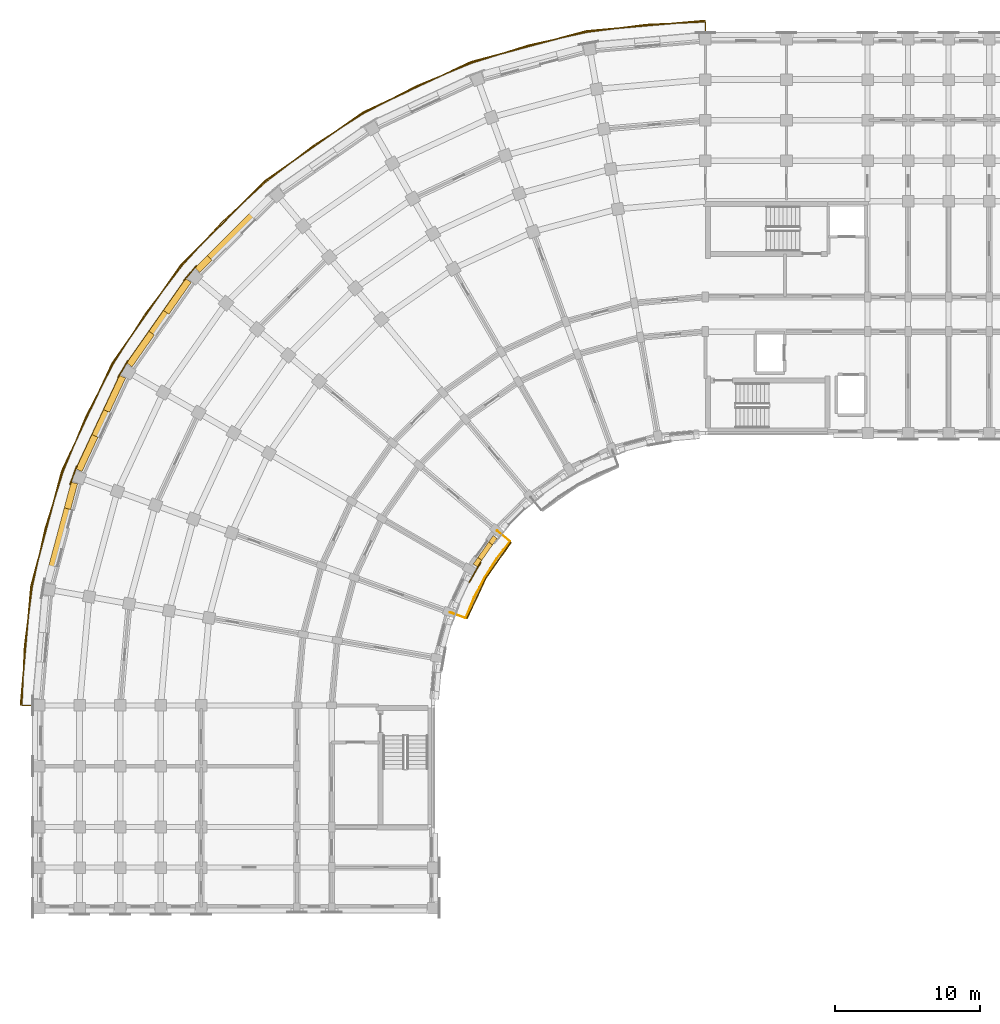
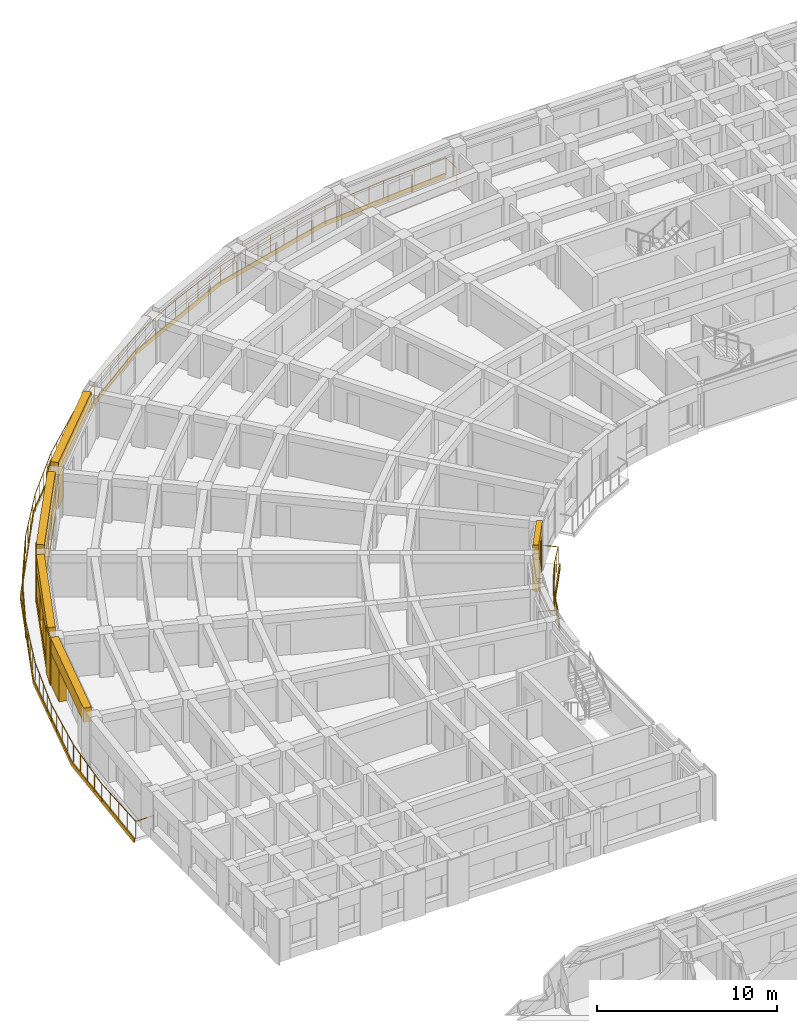
# One storey, part 45 of 54: 21 coverings, 2 railings.
"""IFC4 building model written with IfcOpenShell, lengths in metres."""

import ifcopenshell
import ifcopenshell.guid

model = None  # the IFC model being written
_history = None  # IfcOwnerHistory: only IFC2X3 demands one
_inside = {}  # id of a spatial element -> (the spatial element, [elements in it])
_under = {}  # id of a project, library or spatial element -> (it, [spatial elements below it])
_declared = {}  # id of a project -> (the project, [libraries it declares])
_typed = {}  # id of a type object -> (the type object, [elements of that type])
_made_of = {}  # id of a material, layer set ... -> (it, [elements and type objects made of it])


def new_model(schema):
    """Start an empty IFC model of exactly this schema.

    Asked for "IFC4X3", IfcOpenShell would pick the latest addendum, in which some entities
    have other attributes; the version numbers below select the first issue.
    IFC2X3 requires an IfcOwnerHistory on every rooted entity: one is made here for all.
    """
    global model, _history
    if schema == "IFC4X3":
        model = ifcopenshell.file(schema_version=(4, 3, 0, 0))
    else:
        model = ifcopenshell.file(schema=schema)
    _inside.clear()
    _under.clear()
    _declared.clear()
    _typed.clear()
    _made_of.clear()
    _history = None
    if model.schema == "IFC2X3":
        org = make("IfcOrganization", Name="unknown")
        user = make(
            "IfcPersonAndOrganization",
            ThePerson=make("IfcPerson", FamilyName="unknown"),
            TheOrganization=org,
        )
        app = make(
            "IfcApplication",
            ApplicationDeveloper=org,
            Version="unknown",
            ApplicationFullName="unknown",
            ApplicationIdentifier="unknown",
        )
        _history = make(
            "IfcOwnerHistory",
            OwningUser=user,
            OwningApplication=app,
            ChangeAction="ADDED",
            CreationDate=0,
        )
    return model


def make(cls, **values):
    """One entity of the class cls with the attributes given. An attribute that is None is left unset."""
    return model.create_entity(
        cls, **{name: value for name, value in values.items() if value is not None}
    )


def rooted(cls, **values):
    """An entity with a GlobalId (a new one), such as an element, a storey or a relation."""
    return make(cls, GlobalId=ifcopenshell.guid.new(), OwnerHistory=_history, **values)


def si_unit(unit_type, name, prefix=None):
    """IfcSIUnit, for example si_unit("LENGTHUNIT", "METRE", prefix="MILLI")."""
    return make("IfcSIUnit", UnitType=unit_type, Prefix=prefix, Name=name)


def assignment(units):
    """IfcUnitAssignment: the units of a project."""
    return None if units is None else make("IfcUnitAssignment", Units=units)


def point(xyz):
    """IfcCartesianPoint."""
    return None if xyz is None else make("IfcCartesianPoint", Coordinates=xyz)


def direction(xyz):
    """IfcDirection."""
    return None if xyz is None else make("IfcDirection", DirectionRatios=xyz)


def frame(location, z_axis=None, x_axis=None):
    """IfcAxis2Placement3D, a coordinate frame: its origin and axes. An axis left out is left unset."""
    return make(
        "IfcAxis2Placement3D",
        Location=point(location),
        Axis=direction(z_axis),
        RefDirection=direction(x_axis),
    )


def frame_2d(location, x_axis=None):
    """IfcAxis2Placement2D, a coordinate frame in the plane: its origin and x axis."""
    return make(
        "IfcAxis2Placement2D", Location=point(location), RefDirection=direction(x_axis)
    )


def origin():
    """The frame at (0, 0, 0) with its axes left unset."""
    return frame((0.0, 0.0, 0.0))


def origin_2d():
    """The frame at (0, 0) in the plane with its x axis left unset."""
    return frame_2d((0.0, 0.0))


def place(relative_to, where):
    """IfcLocalPlacement: puts the frame where relative to a parent placement (None: the world)."""
    return make(
        "IfcLocalPlacement", PlacementRelTo=relative_to, RelativePlacement=where
    )


def context(
    kind, dimensions, precision=None, world=None, true_north=None, identifier=None
):
    """IfcGeometricRepresentationContext, for example the 3D "Model" context."""
    return make(
        "IfcGeometricRepresentationContext",
        ContextIdentifier=identifier,
        ContextType=kind,
        CoordinateSpaceDimension=dimensions,
        Precision=precision,
        WorldCoordinateSystem=world,
        TrueNorth=true_north,
    )


def subcontext(parent, identifier, kind, view, scale=None):
    """IfcGeometricRepresentationSubContext, for example "Body" below "Model"."""
    return make(
        "IfcGeometricRepresentationSubContext",
        ContextIdentifier=identifier,
        ContextType=kind,
        ParentContext=parent,
        TargetScale=scale,
        TargetView=view,
    )


def project(units=None, contexts=None):
    """IfcProject with its units and contexts."""
    return rooted(
        "IfcProject",
        Name="project",
        RepresentationContexts=contexts,
        UnitsInContext=assignment(units),
    )


def spatial(cls, under=None, at=None, **own):
    """A site, building, storey or space (cls), placed at a placement, below another one or the project."""
    s = rooted(cls, ObjectPlacement=at, **own)
    if under is not None:
        _under.setdefault(under.id(), (under, []))[1].append(s)
    return s


def polyline(points):
    """IfcPolyline through the points."""
    return make("IfcPolyline", Points=[point(p) for p in points])


def profile(cls, at=None, kind="AREA", **sizes):
    """A parametric profile (cls). Its sizes go by their IFC names, for example OverallWidth=200.0."""
    return make(cls, ProfileType=kind, Position=at, **sizes)


def circle(**sizes):
    """IfcCircleProfileDef."""
    return profile("IfcCircleProfileDef", **sizes)


def outline(outer, holes=None, kind="AREA"):
    """IfcArbitraryClosedProfileDef: a profile drawn as a closed curve; with holes, ...WithVoids."""
    if holes is None:
        return make("IfcArbitraryClosedProfileDef", ProfileType=kind, OuterCurve=outer)
    return make(
        "IfcArbitraryProfileDefWithVoids",
        ProfileType=kind,
        OuterCurve=outer,
        InnerCurves=holes,
    )


def extrude(swept, where, along, depth):
    """IfcExtrudedAreaSolid: the profile swept, set in the frame where, extruded along a direction by depth."""
    return make(
        "IfcExtrudedAreaSolid",
        SweptArea=swept,
        Position=where,
        ExtrudedDirection=direction(along),
        Depth=depth,
    )


def shape(context_of_items, identifier, shape_type, items):
    """IfcShapeRepresentation: the items that make up one representation, for example the "Body"."""
    return make(
        "IfcShapeRepresentation",
        ContextOfItems=context_of_items,
        RepresentationIdentifier=identifier,
        RepresentationType=shape_type,
        Items=items,
    )


def material(Name=None, Category=None):
    """IfcMaterial."""
    return make("IfcMaterial", Name=Name, Category=Category)


def layer(
    of_material, thickness, ventilated=None, Name=None, Category=None, Priority=None
):
    """IfcMaterialLayer: one layer of a wall or slab, of a material (None: an air gap)."""
    return make(
        "IfcMaterialLayer",
        Material=of_material,
        LayerThickness=thickness,
        IsVentilated=ventilated,
        Name=Name,
        Category=Category,
        Priority=Priority,
    )


def layer_set(layers, Name=None):
    """IfcMaterialLayerSet."""
    return make("IfcMaterialLayerSet", MaterialLayers=layers, LayerSetName=Name)


def made_of(thing, what):
    """Note that an element or type object is made of a material, layer set ...; save() writes the relation."""
    if what is not None:
        _made_of.setdefault(what.id(), (what, []))[1].append(thing)
    return thing


def type_object(cls, material=None, **own):
    """A type object (cls), such as IfcWallType, which elements share."""
    return made_of(rooted(cls, **own), material)


def element(
    cls,
    number,
    at=None,
    inside=None,
    cuts=None,
    type_object=None,
    material=None,
    context=None,
    identifier="Body",
    shape_type=None,
    held_by="IfcProductDefinitionShape",
    body=None,
    shapes=None,
    **own,
):
    """One element of the class cls, such as IfcWall. Its Tag is "e" and its number.

    at: its placement. inside: the storey or other place that contains it. cuts: it is an
    opening in that element (IfcRelVoidsElement). A single representation is given by context,
    identifier, shape_type and body (its items); several are given by shapes. held_by: the class
    of the entity that holds the representations. save() writes the other relations.
    """
    e = rooted(cls, Tag="e%d" % number, ObjectPlacement=at, **own)
    if body is not None:
        shapes = [shape(context, identifier, shape_type, body)]
    if shapes is not None:
        e.Representation = make(held_by, Representations=shapes)
    if inside is not None:
        _inside.setdefault(inside.id(), (inside, []))[1].append(e)
    if cuts is not None:
        rooted(
            "IfcRelVoidsElement", RelatingBuildingElement=cuts, RelatedOpeningElement=e
        )
    if type_object is not None:
        _typed.setdefault(type_object.id(), (type_object, []))[1].append(e)
    return made_of(e, material)


def aggregate(whole, parts):
    """IfcRelAggregates: a whole, such as a stair, and the parts it consists of."""
    return rooted("IfcRelAggregates", RelatingObject=whole, RelatedObjects=parts)


def save(model, path):
    """Write the relations noted so far, then the file.

    IfcRelAggregates (storeys below a building ...), IfcRelContainedInSpatialStructure (elements
    in a storey), IfcRelDefinesByType, IfcRelAssociatesMaterial and IfcRelDeclares: one each for
    every whole, place, type object, material and project.
    """
    for whole, parts in _under.values():
        aggregate(whole, parts)
    for where, things in _inside.values():
        rooted(
            "IfcRelContainedInSpatialStructure",
            RelatedElements=things,
            RelatingStructure=where,
        )
    for kind, things in _typed.values():
        rooted("IfcRelDefinesByType", RelatedObjects=things, RelatingType=kind)
    for what, things in _made_of.values():
        rooted("IfcRelAssociatesMaterial", RelatedObjects=things, RelatingMaterial=what)
    for by, libraries in _declared.values():
        rooted("IfcRelDeclares", RelatingContext=by, RelatedDefinitions=libraries)
    model.write(path)


model = new_model("IFC4")

# Units and contexts
model_context = context("Model", 3, precision=1e-05, world=origin(), true_north=direction((0.0, 1.0)))
body_context = subcontext(model_context, "Body", "Model", "MODEL_VIEW")
ifc_project = project(units=[si_unit("LENGTHUNIT", "METRE"), si_unit("AREAUNIT", "SQUARE_METRE"), si_unit("VOLUMEUNIT", "CUBIC_METRE"), si_unit("PLANEANGLEUNIT", "RADIAN"), si_unit("MASSUNIT", "GRAM", prefix="KILO")], contexts=[model_context])

# Site, building, storey
site_placement = place(None, origin())
site = spatial("IfcSite", under=ifc_project, at=site_placement, CompositionType="ELEMENT")
building_placement = place(site_placement, origin())
building = spatial("IfcBuilding", under=site, at=building_placement, Name="Kiranvali Square Residences", CompositionType="ELEMENT")
storey_placement = place(building_placement, frame((0.0, 0.0, 11.85009765625)))
storey = spatial("IfcBuildingStorey", under=building, at=storey_placement, Name="L03", CompositionType="ELEMENT", Elevation=11.85009765625)

# Coverings
ifc_material_1 = material(Name="Carved Porbandar limestone classical entablature and cornice", Category="masonry")
ifc_layer_1 = layer(ifc_material_1, 0.072021484375)
ifc_layer_set_1 = layer_set([ifc_layer_1], Name="Carved Porbandar limestone classical entablature and cornice")
covering_type_1 = type_object("IfcCoveringType", Name="COV-CLAD-BAL", PredefinedType="CLADDING", material=ifc_layer_set_1)
covering_1_placement = place(storey_placement, frame((0.0, 0.0, -0.239990234375)))
element("IfcCovering", 1, at=covering_1_placement, inside=storey, type_object=covering_type_1, Name="Block A L03 continuous curved limestone balcony fascia", PredefinedType="CLADDING", context=body_context, shape_type="SweptSolid", body=[
    extrude(outline(polyline([(48.199951171875, 135.117919921875), (39.9833984375, 134.399169921875), (32.016357421875, 132.264404296875), (24.541015625, 128.778564453125), (17.78466796875, 124.047607421875), (11.952392578125, 118.21533203125), (7.221435546875, 111.458984375), (3.735595703125, 103.983642578125), (1.600830078125, 96.0166015625), (0.882080078125, 87.800048828125), (0.947998046875, 87.800048828125), (1.665771484375, 96.005126953125), (3.797607421875, 103.961181640625), (7.278564453125, 111.426025390625), (12.0029296875, 118.173095703125), (17.826904296875, 123.9970703125), (24.573974609375, 128.721435546875), (32.038818359375, 132.202392578125), (39.994873046875, 134.334228515625), (48.199951171875, 135.052001953125), (48.199951171875, 135.117919921875)])), origin(), (0.0, 0.0, 1.0), 0.2998046875),
])
ifc_layer_2 = layer(ifc_material_1, 0.06201171875)
ifc_layer_set_2 = layer_set([ifc_layer_2], Name="Carved Porbandar limestone classical entablature and cornice")
covering_type_2 = type_object("IfcCoveringType", Name="COV-CLAD-GBAL", PredefinedType="CLADDING", material=ifc_layer_set_2)
covering_2_placement = place(storey_placement, frame((0.0, 0.0, -0.22021484375)))
element("IfcCovering", 2, at=covering_2_placement, inside=storey, type_object=covering_type_2, Name="Block A L03 garden balcony limestone fascia 2", PredefinedType="CLADDING", context=body_context, shape_type="SweptSolid", body=[
    extrude(outline(polyline([(34.757568359375, 99.07958984375), (33.0029296875, 96.573974609375), (31.710205078125, 93.8017578125), (31.774169921875, 93.778564453125), (33.061767578125, 96.5400390625), (34.8095703125, 99.035888671875), (34.757568359375, 99.07958984375)])), origin(), (0.0, 0.0, 1.0), 0.27001953125),
])
ifc_material_2 = material(Name="Honed Porbandar limestone ashlar facade cladding", Category="masonry")
ifc_layer_3 = layer(ifc_material_2, 0.3798828125)
ifc_layer_set_3 = layer_set([ifc_layer_3], Name="Honed Porbandar limestone ashlar facade cladding")
covering_type_3 = type_object("IfcCoveringType", Name="COV-CLAD-JAMB", PredefinedType="CLADDING", material=ifc_layer_set_3)
covering_3_placement = place(storey_placement, origin())
element("IfcCovering", 3, at=covering_3_placement, inside=storey, type_object=covering_type_3, Name="L03 deep limestone window jamb reveal A-L03-CRV-04.R", PredefinedType="CLADDING", context=body_context, shape_type="SweptSolid", body=[
    extrude(outline(polyline([(13.803955078125, 118.86083984375), (12.954833984375, 118.01171875), (13.27978515625, 117.686767578125), (14.12890625, 118.535888671875), (13.803955078125, 118.86083984375)])), origin(), (0.0, 0.0, 1.0), 2.179931640625),
])
covering_4_placement = place(storey_placement, frame((0.0, 0.0, 0.421875)))
element("IfcCovering", 4, at=covering_4_placement, inside=storey, type_object=covering_type_3, Name="L03 deep limestone window jamb reveal A-L03-CRV-05.L", PredefinedType="CLADDING", context=body_context, shape_type="SweptSolid", body=[
    extrude(outline(polyline([(12.3271484375, 117.263427734375), (10.787353515625, 115.064697265625), (11.163818359375, 114.80126953125), (12.703369140625, 117.0), (12.3271484375, 117.263427734375)])), origin(), (0.0, 0.0, 1.0), 1.75),
])
covering_5_placement = place(storey_placement, frame((0.0, 0.0, 0.421875)))
element("IfcCovering", 5, at=covering_5_placement, inside=storey, type_object=covering_type_3, Name="L03 deep limestone window jamb reveal A-L03-CRV-05.R", PredefinedType="CLADDING", context=body_context, shape_type="SweptSolid", body=[
    extrude(outline(polyline([(9.78369140625, 113.631103515625), (8.244140625, 111.432373046875), (8.62060546875, 111.1689453125), (10.16015625, 113.36767578125), (9.78369140625, 113.631103515625)])), origin(), (0.0, 0.0, 1.0), 1.75),
])
covering_6_placement = place(storey_placement, frame((0.0, 0.0, 0.52197265625)))
element("IfcCovering", 6, at=covering_6_placement, inside=storey, type_object=covering_type_3, Name="L03 deep limestone window jamb reveal A-L03-CRV-06.L", PredefinedType="CLADDING", context=body_context, shape_type="SweptSolid", body=[
    extrude(outline(polyline([(7.755859375, 110.586669921875), (6.653076171875, 108.221923828125), (7.069580078125, 108.027587890625), (8.172119140625, 110.392333984375), (7.755859375, 110.586669921875)])), origin(), (0.0, 0.0, 1.0), 1.64990234375),
])
covering_7_placement = place(storey_placement, frame((0.0, 0.0, 0.52197265625)))
element("IfcCovering", 7, at=covering_7_placement, inside=storey, type_object=covering_type_3, Name="L03 deep limestone window jamb reveal A-L03-CRV-06.R", PredefinedType="CLADDING", context=body_context, shape_type="SweptSolid", body=[
    extrude(outline(polyline([(5.85009765625, 106.5), (4.747314453125, 104.13525390625), (5.163818359375, 103.94091796875), (6.2666015625, 106.3056640625), (5.85009765625, 106.5)])), origin(), (0.0, 0.0, 1.0), 1.64990234375),
])
covering_8_placement = place(storey_placement, origin())
element("IfcCovering", 8, at=covering_8_placement, inside=storey, type_object=covering_type_3, Name="L03 deep limestone window jamb reveal A-L03-CRV-07.L", PredefinedType="CLADDING", context=body_context, shape_type="SweptSolid", body=[
    extrude(outline(polyline([(4.413330078125, 103.21728515625), (3.936767578125, 101.438720703125), (4.380615234375, 101.31982421875), (4.857177734375, 103.098388671875), (4.413330078125, 103.21728515625)])), origin(), (0.0, 0.0, 1.0), 2.179931640625),
])
covering_9_placement = place(storey_placement, origin())
element("IfcCovering", 9, at=covering_9_placement, inside=storey, type_object=covering_type_3, Name="L03 deep limestone window jamb reveal A-L03-GDN-05.L", PredefinedType="CLADDING", context=body_context, shape_type="SweptSolid", body=[
    extrude(outline(polyline([(33.54638671875, 99.523681640625), (33.231689453125, 99.074462890625), (33.509765625, 98.879638671875), (33.824462890625, 99.328857421875), (33.54638671875, 99.523681640625)])), origin(), (0.0, 0.0, 1.0), 2.179931640625),
])
covering_10_placement = place(storey_placement, origin())
element("IfcCovering", 10, at=covering_10_placement, inside=storey, type_object=covering_type_3, Name="L03 deep limestone window jamb reveal A-L03-GDN-05.R", PredefinedType="CLADDING", context=body_context, shape_type="SweptSolid", body=[
    extrude(outline(polyline([(32.486083984375, 98.009521484375), (32.171630859375, 97.56005859375), (32.44970703125, 97.365478515625), (32.76416015625, 97.814697265625), (32.486083984375, 98.009521484375)])), origin(), (0.0, 0.0, 1.0), 2.179931640625),
])
ifc_layer_4 = layer(ifc_material_2, 0.06494140625)
ifc_layer_set_4 = layer_set([ifc_layer_4], Name="Honed Porbandar limestone ashlar facade cladding")
covering_type_4 = type_object("IfcCoveringType", Name="COV-CLAD-PIER", PredefinedType="CLADDING", material=ifc_layer_set_4)
covering_11_placement = place(storey_placement, frame((0.0, 0.0, 0.0048828125)))
element("IfcCovering", 11, at=covering_11_placement, inside=storey, type_object=covering_type_4, Name="L03 Classical limestone corner pilaster CLAD-PR-A-L03-A05", PredefinedType="CLADDING", context=body_context, shape_type="SweptSolid", body=[
    extrude(outline(polyline([(13.04052734375, 118.18994140625), (12.166259765625, 117.148193359375), (12.218017578125, 117.104736328125), (13.09228515625, 118.146484375), (13.04052734375, 118.18994140625)])), origin(), (0.0, 0.0, 1.0), 3.14013671875),
])
covering_12_placement = place(storey_placement, frame((0.0, 0.0, 0.0048828125)))
element("IfcCovering", 12, at=covering_12_placement, inside=storey, type_object=covering_type_4, Name="L03 Classical limestone corner pilaster CLAD-PR-A-L03-A06", PredefinedType="CLADDING", context=body_context, shape_type="SweptSolid", body=[
    extrude(outline(polyline([(8.297607421875, 111.622802734375), (7.617431640625, 110.445068359375), (7.676025390625, 110.411376953125), (8.35595703125, 111.589111328125), (8.297607421875, 111.622802734375)])), origin(), (0.0, 0.0, 1.0), 3.14013671875),
])
covering_13_placement = place(storey_placement, frame((0.0, 0.0, 0.0048828125)))
element("IfcCovering", 13, at=covering_13_placement, inside=storey, type_object=covering_type_4, Name="L03 Classical limestone corner pilaster CLAD-PR-A-L03-A07", PredefinedType="CLADDING", context=body_context, shape_type="SweptSolid", body=[
    extrude(outline(polyline([(4.766845703125, 104.33203125), (4.3017578125, 103.053955078125), (4.365234375, 103.031005859375), (4.830322265625, 104.308837890625), (4.766845703125, 104.33203125)])), origin(), (0.0, 0.0, 1.0), 3.14013671875),
])
ifc_layer_5 = layer(ifc_material_2, 0.050048828125)
ifc_layer_set_5 = layer_set([ifc_layer_5], Name="Honed Porbandar limestone ashlar facade cladding")
covering_type_5 = type_object("IfcCoveringType", Name="COV-CLAD-PIER-IN", PredefinedType="CLADDING", material=ifc_layer_set_5)
covering_14_placement = place(storey_placement, frame((0.0, 0.0, 0.0048828125)))
element("IfcCovering", 14, at=covering_14_placement, inside=storey, type_object=covering_type_5, Name="L03 Classical garden courtyard pilaster CLAD-PRIN-A-L03-A06", PredefinedType="CLADDING", context=body_context, shape_type="SweptSolid", body=[
    extrude(outline(polyline([(31.924072265625, 96.273193359375), (32.72412109375, 97.658935546875), (32.66552734375, 97.692626953125), (31.865478515625, 96.306884765625), (31.924072265625, 96.273193359375)])), origin(), (0.0, 0.0, 1.0), 3.14013671875),
])
ifc_layer_6 = layer(ifc_material_2, 0.360107421875)
ifc_layer_set_6 = layer_set([ifc_layer_6], Name="Honed Porbandar limestone ashlar facade cladding")
covering_type_6 = type_object("IfcCoveringType", Name="COV-CLAD-WALL", PredefinedType="CLADDING", material=ifc_layer_set_6)
covering_15_placement = place(storey_placement, frame((0.0, 0.0, 2.179931640625)))
element("IfcCovering", 15, at=covering_15_placement, inside=storey, type_object=covering_type_6, Name="L03 light limestone spandrel lintel A-L03-CRV-04", PredefinedType="CLADDING", context=body_context, shape_type="SweptSolid", body=[
    extrude(outline(polyline([(17.98828125, 123.045166015625), (12.954833984375, 118.01171875), (13.27978515625, 117.686767578125), (18.313232421875, 122.72021484375), (17.98828125, 123.045166015625)])), origin(), (0.0, 0.0, 1.0), 0.965087890625),
])
covering_16_placement = place(storey_placement, frame((0.0, 0.0, 2.171875)))
element("IfcCovering", 16, at=covering_16_placement, inside=storey, type_object=covering_type_6, Name="L03 light limestone spandrel lintel A-L03-CRV-05", PredefinedType="CLADDING", context=body_context, shape_type="SweptSolid", body=[
    extrude(outline(polyline([(12.3271484375, 117.263427734375), (8.244140625, 111.432373046875), (8.62060546875, 111.1689453125), (12.703369140625, 117.0), (12.3271484375, 117.263427734375)])), origin(), (0.0, 0.0, 1.0), 0.97314453125),
])
covering_17_placement = place(storey_placement, frame((0.0, 0.0, 0.0048828125)))
element("IfcCovering", 17, at=covering_17_placement, inside=storey, type_object=covering_type_6, Name="L03 limestone window sill apron A-L03-CRV-05", PredefinedType="CLADDING", context=body_context, shape_type="SweptSolid", body=[
    extrude(outline(polyline([(12.302490234375, 117.28076171875), (8.219482421875, 111.44970703125), (8.62060546875, 111.1689453125), (12.703369140625, 117.0), (12.302490234375, 117.28076171875)])), origin(), (0.0, 0.0, 1.0), 0.4169921875),
])
covering_18_placement = place(storey_placement, frame((0.0, 0.0, 2.171875)))
element("IfcCovering", 18, at=covering_18_placement, inside=storey, type_object=covering_type_6, Name="L03 light limestone spandrel lintel A-L03-CRV-06", PredefinedType="CLADDING", context=body_context, shape_type="SweptSolid", body=[
    extrude(outline(polyline([(7.755859375, 110.586669921875), (4.747314453125, 104.13525390625), (5.163818359375, 103.94091796875), (8.172119140625, 110.392333984375), (7.755859375, 110.586669921875)])), origin(), (0.0, 0.0, 1.0), 0.97314453125),
])
covering_19_placement = place(storey_placement, frame((0.0, 0.0, 0.0048828125)))
element("IfcCovering", 19, at=covering_19_placement, inside=storey, type_object=covering_type_6, Name="L03 limestone window sill apron A-L03-CRV-06", PredefinedType="CLADDING", context=body_context, shape_type="SweptSolid", body=[
    extrude(outline(polyline([(7.728515625, 110.59912109375), (4.72021484375, 104.14794921875), (5.163818359375, 103.94091796875), (8.172119140625, 110.392333984375), (7.728515625, 110.59912109375)])), origin(), (0.0, 0.0, 1.0), 0.51708984375),
])
covering_20_placement = place(storey_placement, frame((0.0, 0.0, 2.179931640625)))
element("IfcCovering", 20, at=covering_20_placement, inside=storey, type_object=covering_type_6, Name="L03 light limestone spandrel lintel A-L03-CRV-07", PredefinedType="CLADDING", context=body_context, shape_type="SweptSolid", body=[
    extrude(outline(polyline([(4.413330078125, 103.21728515625), (2.571044921875, 96.341552734375), (3.014892578125, 96.22265625), (4.857177734375, 103.098388671875), (4.413330078125, 103.21728515625)])), origin(), (0.0, 0.0, 1.0), 0.965087890625),
])
covering_21_placement = place(storey_placement, frame((0.0, 0.0, 2.179931640625)))
element("IfcCovering", 21, at=covering_21_placement, inside=storey, type_object=covering_type_6, Name="L03 light limestone spandrel lintel A-L03-GDN-05", PredefinedType="CLADDING", context=body_context, shape_type="SweptSolid", body=[
    extrude(outline(polyline([(33.54638671875, 99.523681640625), (32.171630859375, 97.56005859375), (32.44970703125, 97.365478515625), (33.824462890625, 99.328857421875), (33.54638671875, 99.523681640625)])), origin(), (0.0, 0.0, 1.0), 0.965087890625),
])

# Railings
ifc_material_3 = material(Name="Powder-coated architectural bronze balustrade", Category="steel")
railing_type = type_object("IfcRailingType", Name="RL-BAL-GOLD-1200", PredefinedType="BALUSTRADE", material=ifc_material_3)
railing_1_placement = place(storey_placement, frame((48.199951171875, 133.840087890625, 0.0)))
element("IfcRailing", 22, at=railing_1_placement, inside=storey, type_object=railing_type, Name="Block A L03 continuous curved corner gold balustrade", PredefinedType="BALUSTRADE", context=body_context, shape_type="SweptSolid", body=[
    extrude(circle(Radius=0.02392578125, at=origin_2d()), frame((0.0, 0.0, 1.17578125), z_axis=(0.0, 1.0, 0.0), x_axis=(-1.0, 0.0, 0.0)), (0.0, 0.0, 1.0), 1.14990234375),
    extrude(circle(Radius=0.02392578125, at=origin_2d()), frame((0.0, 1.14990234375, 1.17578125), z_axis=(-0.999049544955, -0.043589066576, 0.0), x_axis=(0.043589066576, -0.999049544955, 0.0)), (0.0, 0.0, 1.0), 4.11669921875),
    extrude(circle(Radius=0.02392578125, at=origin_2d()), frame((-4.11279296875, 0.970458984375, 1.17578125), z_axis=(-0.991444603928, -0.1305281477, 0.0), x_axis=(0.1305281477, -0.991444603928, 0.0)), (0.0, 0.0, 1.0), 4.11669921875),
    extrude(circle(Radius=0.02392578125, at=origin_2d()), frame((-8.1943359375, 0.43310546875, 1.17578125), z_axis=(-0.976292989924, -0.216453223181, 0.0), x_axis=(0.216453223181, -0.976292989924, 0.0)), (0.0, 0.0, 1.0), 4.116943359375),
    extrude(circle(Radius=0.02392578125, at=origin_2d()), frame((-12.213623046875, -0.4580078125, 1.17578125), z_axis=(-0.953710744932, -0.300725481131, 0.0), x_axis=(0.300725481131, -0.953710744932, 0.0)), (0.0, 0.0, 1.0), 4.116943359375),
    extrude(circle(Radius=0.02392578125, at=origin_2d()), frame((-16.139892578125, -1.696044921875, 1.17578125), z_axis=(-0.923880226262, -0.382681757498, 0.0), x_axis=(0.382681757498, -0.923880226262, 0.0)), (0.0, 0.0, 1.0), 4.116943359375),
    extrude(circle(Radius=0.02392578125, at=origin_2d()), frame((-19.943359375, -3.271484375, 1.17578125), z_axis=(-0.887013781313, -0.461742949877, 0.0), x_axis=(0.461742949877, -0.887013781313, 0.0)), (0.0, 0.0, 1.0), 4.11669921875),
    extrude(circle(Radius=0.02392578125, at=origin_2d()), frame((-23.594970703125, -5.17236328125, 1.17578125), z_axis=(-0.843402550976, -0.537282176335, 0.0), x_axis=(0.537282176335, -0.843402550976, 0.0)), (0.0, 0.0, 1.0), 4.116943359375),
    extrude(circle(Radius=0.02392578125, at=origin_2d()), frame((-27.067138671875, -7.38427734375, 1.17578125), z_axis=(-0.793339967331, -0.608778856594, 0.0), x_axis=(0.608778856594, -0.793339967331, 0.0)), (0.0, 0.0, 1.0), 4.11669921875),
    extrude(circle(Radius=0.02392578125, at=origin_2d()), frame((-30.3330078125, -9.890380859375, 1.17578125), z_axis=(-0.737299356654, -0.675566176386, 0.0), x_axis=(0.675566176386, -0.737299356654, 0.0)), (0.0, 0.0, 1.0), 4.116943359375),
    extrude(circle(Radius=0.02392578125, at=origin_2d()), frame((-33.368408203125, -12.671630859375, 1.17578125), z_axis=(-0.675566176386, -0.737299356654, 0.0), x_axis=(0.737299356654, -0.675566176386, 0.0)), (0.0, 0.0, 1.0), 4.116943359375),
    extrude(circle(Radius=0.02392578125, at=origin_2d()), frame((-36.149658203125, -15.70703125, 1.17578125), z_axis=(-0.608778856594, -0.793339967331, 0.0), x_axis=(0.793339967331, -0.608778856594, 0.0)), (0.0, 0.0, 1.0), 4.11669921875),
    extrude(circle(Radius=0.02392578125, at=origin_2d()), frame((-38.65576171875, -18.972900390625, 1.17578125), z_axis=(-0.537282176335, -0.843402550976, 0.0), x_axis=(0.843402550976, -0.537282176335, 0.0)), (0.0, 0.0, 1.0), 4.116943359375),
    extrude(circle(Radius=0.02392578125, at=origin_2d()), frame((-40.86767578125, -22.445068359375, 1.17578125), z_axis=(-0.461742949877, -0.887013781313, 0.0), x_axis=(0.887013781313, -0.461742949877, 0.0)), (0.0, 0.0, 1.0), 4.11669921875),
    extrude(circle(Radius=0.02392578125, at=origin_2d()), frame((-42.7685546875, -26.0966796875, 1.17578125), z_axis=(-0.382681757498, -0.923880226262, 0.0), x_axis=(0.923880226262, -0.382681757498, 0.0)), (0.0, 0.0, 1.0), 4.116943359375),
    extrude(circle(Radius=0.02392578125, at=origin_2d()), frame((-44.343994140625, -29.900146484375, 1.17578125), z_axis=(-0.300725481131, -0.953710744932, 0.0), x_axis=(0.953710744932, -0.300725481131, 0.0)), (0.0, 0.0, 1.0), 4.116943359375),
    extrude(circle(Radius=0.02392578125, at=origin_2d()), frame((-45.58203125, -33.826416015625, 1.17578125), z_axis=(-0.216453223181, -0.976292989924, 0.0), x_axis=(0.976292989924, -0.216453223181, 0.0)), (0.0, 0.0, 1.0), 4.116943359375),
    extrude(circle(Radius=0.02392578125, at=origin_2d()), frame((-46.47314453125, -37.845703125, 1.17578125), z_axis=(-0.1305281477, -0.991444603928, 0.0), x_axis=(0.991444603928, -0.1305281477, 0.0)), (0.0, 0.0, 1.0), 4.11669921875),
    extrude(circle(Radius=0.02392578125, at=origin_2d()), frame((-47.010498046875, -41.92724609375, 1.17578125), z_axis=(-0.043589066576, -0.999049544955, 0.0), x_axis=(0.999049544955, -0.043589066576, 0.0)), (0.0, 0.0, 1.0), 4.11669921875),
    extrude(circle(Radius=0.02392578125, at=origin_2d()), frame((-47.18994140625, -46.0400390625, 1.17578125), z_axis=(1.0, 0.0, 0.0), x_axis=(0.0, 1.0, 0.0)), (0.0, 0.0, 1.0), 1.14990234375),
    extrude(circle(Radius=0.02099609375, at=origin_2d()), origin(), (0.0, 0.0, 1.0), 1.15185546875),
    extrude(circle(Radius=0.02099609375, at=origin_2d()), frame((0.0, 1.14990234375, 0.0)), (0.0, 0.0, 1.0), 1.15185546875),
    extrude(circle(Radius=0.02099609375, at=origin_2d()), frame((-1.0283203125, 1.10498046875, 0.0)), (0.0, 0.0, 1.0), 1.15185546875),
    extrude(circle(Radius=0.02099609375, at=origin_2d()), frame((-2.056396484375, 1.06005859375, 0.0)), (0.0, 0.0, 1.0), 1.15185546875),
    extrude(circle(Radius=0.02099609375, at=origin_2d()), frame((-3.08447265625, 1.015380859375, 0.0)), (0.0, 0.0, 1.0), 1.15185546875),
    extrude(circle(Radius=0.02099609375, at=origin_2d()), frame((-4.11279296875, 0.970458984375, 0.0)), (0.0, 0.0, 1.0), 1.15185546875),
    extrude(circle(Radius=0.02099609375, at=origin_2d()), frame((-5.13330078125, 0.836181640625, 0.0)), (0.0, 0.0, 1.0), 1.15185546875),
    extrude(circle(Radius=0.02099609375, at=origin_2d()), frame((-6.153564453125, 0.70166015625, 0.0)), (0.0, 0.0, 1.0), 1.15185546875),
    extrude(circle(Radius=0.02099609375, at=origin_2d()), frame((-7.173828125, 0.5673828125, 0.0)), (0.0, 0.0, 1.0), 1.15185546875),
    extrude(circle(Radius=0.02099609375, at=origin_2d()), frame((-8.1943359375, 0.43310546875, 0.0)), (0.0, 0.0, 1.0), 1.15185546875),
    extrude(circle(Radius=0.02099609375, at=origin_2d()), frame((-9.19921875, 0.21044921875, 0.0)), (0.0, 0.0, 1.0), 1.15185546875),
    extrude(circle(Radius=0.02099609375, at=origin_2d()), frame((-10.2041015625, -0.012451171875, 0.0)), (0.0, 0.0, 1.0), 1.15185546875),
    extrude(circle(Radius=0.02099609375, at=origin_2d()), frame((-11.208740234375, -0.2353515625, 0.0)), (0.0, 0.0, 1.0), 1.15185546875),
    extrude(circle(Radius=0.02099609375, at=origin_2d()), frame((-12.213623046875, -0.4580078125, 0.0)), (0.0, 0.0, 1.0), 1.15185546875),
    extrude(circle(Radius=0.02099609375, at=origin_2d()), frame((-13.1953125, -0.767578125, 0.0)), (0.0, 0.0, 1.0), 1.15185546875),
    extrude(circle(Radius=0.02099609375, at=origin_2d()), frame((-14.1767578125, -1.0771484375, 0.0)), (0.0, 0.0, 1.0), 1.15185546875),
    extrude(circle(Radius=0.02099609375, at=origin_2d()), frame((-15.158203125, -1.386474609375, 0.0)), (0.0, 0.0, 1.0), 1.15185546875),
    extrude(circle(Radius=0.02099609375, at=origin_2d()), frame((-16.139892578125, -1.696044921875, 0.0)), (0.0, 0.0, 1.0), 1.15185546875),
    extrude(circle(Radius=0.02099609375, at=origin_2d()), frame((-17.0908203125, -2.08984375, 0.0)), (0.0, 0.0, 1.0), 1.15185546875),
    extrude(circle(Radius=0.02099609375, at=origin_2d()), frame((-18.04150390625, -2.48388671875, 0.0)), (0.0, 0.0, 1.0), 1.15185546875),
    extrude(circle(Radius=0.02099609375, at=origin_2d()), frame((-18.992431640625, -2.877685546875, 0.0)), (0.0, 0.0, 1.0), 1.15185546875),
    extrude(circle(Radius=0.02099609375, at=origin_2d()), frame((-19.943359375, -3.271484375, 0.0)), (0.0, 0.0, 1.0), 1.15185546875),
    extrude(circle(Radius=0.02099609375, at=origin_2d()), frame((-20.856201171875, -3.74658203125, 0.0)), (0.0, 0.0, 1.0), 1.15185546875),
    extrude(circle(Radius=0.02099609375, at=origin_2d()), frame((-21.76904296875, -4.221923828125, 0.0)), (0.0, 0.0, 1.0), 1.15185546875),
    extrude(circle(Radius=0.02099609375, at=origin_2d()), frame((-22.68212890625, -4.697265625, 0.0)), (0.0, 0.0, 1.0), 1.15185546875),
    extrude(circle(Radius=0.02099609375, at=origin_2d()), frame((-23.594970703125, -5.17236328125, 0.0)), (0.0, 0.0, 1.0), 1.15185546875),
    extrude(circle(Radius=0.02099609375, at=origin_2d()), frame((-24.462890625, -5.725341796875, 0.0)), (0.0, 0.0, 1.0), 1.15185546875),
    extrude(circle(Radius=0.02099609375, at=origin_2d()), frame((-25.3310546875, -6.2783203125, 0.0)), (0.0, 0.0, 1.0), 1.15185546875),
    extrude(circle(Radius=0.02099609375, at=origin_2d()), frame((-26.19921875, -6.831298828125, 0.0)), (0.0, 0.0, 1.0), 1.15185546875),
    extrude(circle(Radius=0.02099609375, at=origin_2d()), frame((-27.067138671875, -7.38427734375, 0.0)), (0.0, 0.0, 1.0), 1.15185546875),
    extrude(circle(Radius=0.02099609375, at=origin_2d()), frame((-27.883544921875, -8.0107421875, 0.0)), (0.0, 0.0, 1.0), 1.15185546875),
    extrude(circle(Radius=0.02099609375, at=origin_2d()), frame((-28.7001953125, -8.63720703125, 0.0)), (0.0, 0.0, 1.0), 1.15185546875),
    extrude(circle(Radius=0.02099609375, at=origin_2d()), frame((-29.5166015625, -9.263916015625, 0.0)), (0.0, 0.0, 1.0), 1.15185546875),
    extrude(circle(Radius=0.02099609375, at=origin_2d()), frame((-30.3330078125, -9.890380859375, 0.0)), (0.0, 0.0, 1.0), 1.15185546875),
    extrude(circle(Radius=0.02099609375, at=origin_2d()), frame((-31.091796875, -10.585693359375, 0.0)), (0.0, 0.0, 1.0), 1.15185546875),
    extrude(circle(Radius=0.02099609375, at=origin_2d()), frame((-31.8505859375, -11.281005859375, 0.0)), (0.0, 0.0, 1.0), 1.15185546875),
    extrude(circle(Radius=0.02099609375, at=origin_2d()), frame((-32.609619140625, -11.976318359375, 0.0)), (0.0, 0.0, 1.0), 1.15185546875),
    extrude(circle(Radius=0.02099609375, at=origin_2d()), frame((-33.368408203125, -12.671630859375, 0.0)), (0.0, 0.0, 1.0), 1.15185546875),
    extrude(circle(Radius=0.02099609375, at=origin_2d()), frame((-34.063720703125, -13.430419921875, 0.0)), (0.0, 0.0, 1.0), 1.15185546875),
    extrude(circle(Radius=0.02099609375, at=origin_2d()), frame((-34.759033203125, -14.189453125, 0.0)), (0.0, 0.0, 1.0), 1.15185546875),
    extrude(circle(Radius=0.02099609375, at=origin_2d()), frame((-35.454345703125, -14.9482421875, 0.0)), (0.0, 0.0, 1.0), 1.15185546875),
    extrude(circle(Radius=0.02099609375, at=origin_2d()), frame((-36.149658203125, -15.70703125, 0.0)), (0.0, 0.0, 1.0), 1.15185546875),
    extrude(circle(Radius=0.02099609375, at=origin_2d()), frame((-36.776123046875, -16.5234375, 0.0)), (0.0, 0.0, 1.0), 1.15185546875),
    extrude(circle(Radius=0.02099609375, at=origin_2d()), frame((-37.40283203125, -17.33984375, 0.0)), (0.0, 0.0, 1.0), 1.15185546875),
    extrude(circle(Radius=0.02099609375, at=origin_2d()), frame((-38.029296875, -18.156494140625, 0.0)), (0.0, 0.0, 1.0), 1.15185546875),
    extrude(circle(Radius=0.02099609375, at=origin_2d()), frame((-38.65576171875, -18.972900390625, 0.0)), (0.0, 0.0, 1.0), 1.15185546875),
    extrude(circle(Radius=0.02099609375, at=origin_2d()), frame((-39.208740234375, -19.8408203125, 0.0)), (0.0, 0.0, 1.0), 1.15185546875),
    extrude(circle(Radius=0.02099609375, at=origin_2d()), frame((-39.76171875, -20.708984375, 0.0)), (0.0, 0.0, 1.0), 1.15185546875),
    extrude(circle(Radius=0.02099609375, at=origin_2d()), frame((-40.314697265625, -21.5771484375, 0.0)), (0.0, 0.0, 1.0), 1.15185546875),
    extrude(circle(Radius=0.02099609375, at=origin_2d()), frame((-40.86767578125, -22.445068359375, 0.0)), (0.0, 0.0, 1.0), 1.15185546875),
    extrude(circle(Radius=0.02099609375, at=origin_2d()), frame((-41.3427734375, -23.35791015625, 0.0)), (0.0, 0.0, 1.0), 1.15185546875),
    extrude(circle(Radius=0.02099609375, at=origin_2d()), frame((-41.818115234375, -24.27099609375, 0.0)), (0.0, 0.0, 1.0), 1.15185546875),
    extrude(circle(Radius=0.02099609375, at=origin_2d()), frame((-42.29345703125, -25.183837890625, 0.0)), (0.0, 0.0, 1.0), 1.15185546875),
    extrude(circle(Radius=0.02099609375, at=origin_2d()), frame((-42.7685546875, -26.0966796875, 0.0)), (0.0, 0.0, 1.0), 1.15185546875),
    extrude(circle(Radius=0.02099609375, at=origin_2d()), frame((-43.162353515625, -27.047607421875, 0.0)), (0.0, 0.0, 1.0), 1.15185546875),
    extrude(circle(Radius=0.02099609375, at=origin_2d()), frame((-43.55615234375, -27.99853515625, 0.0)), (0.0, 0.0, 1.0), 1.15185546875),
    extrude(circle(Radius=0.02099609375, at=origin_2d()), frame((-43.9501953125, -28.94921875, 0.0)), (0.0, 0.0, 1.0), 1.15185546875),
    extrude(circle(Radius=0.02099609375, at=origin_2d()), frame((-44.343994140625, -29.900146484375, 0.0)), (0.0, 0.0, 1.0), 1.15185546875),
    extrude(circle(Radius=0.02099609375, at=origin_2d()), frame((-44.653564453125, -30.8818359375, 0.0)), (0.0, 0.0, 1.0), 1.15185546875),
    extrude(circle(Radius=0.02099609375, at=origin_2d()), frame((-44.962890625, -31.86328125, 0.0)), (0.0, 0.0, 1.0), 1.15185546875),
    extrude(circle(Radius=0.02099609375, at=origin_2d()), frame((-45.2724609375, -32.8447265625, 0.0)), (0.0, 0.0, 1.0), 1.15185546875),
    extrude(circle(Radius=0.02099609375, at=origin_2d()), frame((-45.58203125, -33.826416015625, 0.0)), (0.0, 0.0, 1.0), 1.15185546875),
    extrude(circle(Radius=0.02099609375, at=origin_2d()), frame((-45.8046875, -34.831298828125, 0.0)), (0.0, 0.0, 1.0), 1.15185546875),
    extrude(circle(Radius=0.02099609375, at=origin_2d()), frame((-46.027587890625, -35.8359375, 0.0)), (0.0, 0.0, 1.0), 1.15185546875),
    extrude(circle(Radius=0.02099609375, at=origin_2d()), frame((-46.25048828125, -36.8408203125, 0.0)), (0.0, 0.0, 1.0), 1.15185546875),
    extrude(circle(Radius=0.02099609375, at=origin_2d()), frame((-46.47314453125, -37.845703125, 0.0)), (0.0, 0.0, 1.0), 1.15185546875),
    extrude(circle(Radius=0.02099609375, at=origin_2d()), frame((-46.607421875, -38.8662109375, 0.0)), (0.0, 0.0, 1.0), 1.15185546875),
    extrude(circle(Radius=0.02099609375, at=origin_2d()), frame((-46.74169921875, -39.886474609375, 0.0)), (0.0, 0.0, 1.0), 1.15185546875),
    extrude(circle(Radius=0.02099609375, at=origin_2d()), frame((-46.876220703125, -40.90673828125, 0.0)), (0.0, 0.0, 1.0), 1.15185546875),
    extrude(circle(Radius=0.02099609375, at=origin_2d()), frame((-47.010498046875, -41.92724609375, 0.0)), (0.0, 0.0, 1.0), 1.15185546875),
    extrude(circle(Radius=0.02099609375, at=origin_2d()), frame((-47.055419921875, -42.95556640625, 0.0)), (0.0, 0.0, 1.0), 1.15185546875),
    extrude(circle(Radius=0.02099609375, at=origin_2d()), frame((-47.10009765625, -43.983642578125, 0.0)), (0.0, 0.0, 1.0), 1.15185546875),
    extrude(circle(Radius=0.02099609375, at=origin_2d()), frame((-47.14501953125, -45.01171875, 0.0)), (0.0, 0.0, 1.0), 1.15185546875),
    extrude(circle(Radius=0.02099609375, at=origin_2d()), frame((-47.18994140625, -46.0400390625, 0.0)), (0.0, 0.0, 1.0), 1.15185546875),
    extrude(circle(Radius=0.02099609375, at=origin_2d()), frame((-46.0400390625, -46.0400390625, 0.0)), (0.0, 0.0, 1.0), 1.15185546875),
])
railing_2_placement = place(storey_placement, frame((33.8291015625, 99.858642578125, 0.0)))
element("IfcRailing", 23, at=railing_2_placement, inside=storey, type_object=railing_type, Name="Block A L03 garden balcony gold balustrade 2", PredefinedType="BALUSTRADE", context=body_context, shape_type="SweptSolid", body=[
    extrude(circle(Radius=0.02392578125, at=origin_2d()), frame((0.0, 0.0, 1.17578125), z_axis=(0.765989188314, -0.642853454051, 0.0), x_axis=(0.642853454051, 0.765989188314, 0.0)), (0.0, 0.0, 1.0), 1.14990234375),
    extrude(circle(Radius=0.02392578125, at=origin_2d()), frame((0.880859375, -0.7392578125, 1.17578125), z_axis=(-0.608811807471, -0.793314680996, 0.0), x_axis=(0.793314680996, -0.608811807471, 0.0)), (0.0, 0.0, 1.0), 1.536376953125),
    extrude(circle(Radius=0.02392578125, at=origin_2d()), frame((-0.054443359375, -1.9580078125, 1.17578125), z_axis=(-0.537307309343, -0.843386539688, 0.0), x_axis=(0.843386539688, -0.537307309343, 0.0)), (0.0, 0.0, 1.0), 1.5361328125),
    extrude(circle(Radius=0.02392578125, at=origin_2d()), frame((-0.8798828125, -3.253662109375, 1.17578125), z_axis=(-0.461713009976, -0.887029366154, 0.0), x_axis=(0.887029366154, -0.461713009976, 0.0)), (0.0, 0.0, 1.0), 1.5361328125),
    extrude(circle(Radius=0.02392578125, at=origin_2d()), frame((-1.589111328125, -4.6162109375, 1.17578125), z_axis=(-0.382651197843, -0.923892883829, 0.0), x_axis=(0.923892883829, -0.382651197843, 0.0)), (0.0, 0.0, 1.0), 1.536376953125),
    extrude(circle(Radius=0.02392578125, at=origin_2d()), frame((-2.177001953125, -6.03564453125, 1.17578125), z_axis=(-0.939712828289, 0.341964618562, 0.0), x_axis=(-0.341964618562, -0.939712828289, 0.0)), (0.0, 0.0, 1.0), 1.150146484375),
    extrude(circle(Radius=0.02099609375, at=origin_2d()), origin(), (0.0, 0.0, 1.0), 1.15185546875),
    extrude(circle(Radius=0.02099609375, at=origin_2d()), frame((0.880859375, -0.7392578125, 0.0)), (0.0, 0.0, 1.0), 1.15185546875),
    extrude(circle(Radius=0.02099609375, at=origin_2d()), frame((0.4130859375, -1.3486328125, 0.0)), (0.0, 0.0, 1.0), 1.15185546875),
    extrude(circle(Radius=0.02099609375, at=origin_2d()), frame((-0.054443359375, -1.9580078125, 0.0)), (0.0, 0.0, 1.0), 1.15185546875),
    extrude(circle(Radius=0.02099609375, at=origin_2d()), frame((-0.46728515625, -2.60595703125, 0.0)), (0.0, 0.0, 1.0), 1.15185546875),
    extrude(circle(Radius=0.02099609375, at=origin_2d()), frame((-0.8798828125, -3.253662109375, 0.0)), (0.0, 0.0, 1.0), 1.15185546875),
    extrude(circle(Radius=0.02099609375, at=origin_2d()), frame((-1.234375, -3.93505859375, 0.0)), (0.0, 0.0, 1.0), 1.15185546875),
    extrude(circle(Radius=0.02099609375, at=origin_2d()), frame((-1.589111328125, -4.6162109375, 0.0)), (0.0, 0.0, 1.0), 1.15185546875),
    extrude(circle(Radius=0.02099609375, at=origin_2d()), frame((-1.883056640625, -5.325927734375, 0.0)), (0.0, 0.0, 1.0), 1.15185546875),
    extrude(circle(Radius=0.02099609375, at=origin_2d()), frame((-2.177001953125, -6.03564453125, 0.0)), (0.0, 0.0, 1.0), 1.15185546875),
    extrude(circle(Radius=0.02099609375, at=origin_2d()), frame((-3.2578125, -5.642333984375, 0.0)), (0.0, 0.0, 1.0), 1.15185546875),
])

save(model, "model.ifc")
